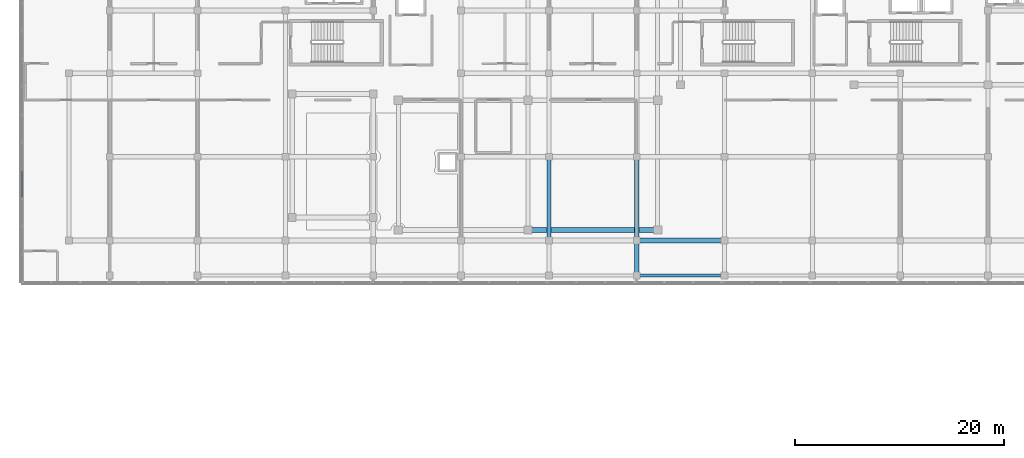
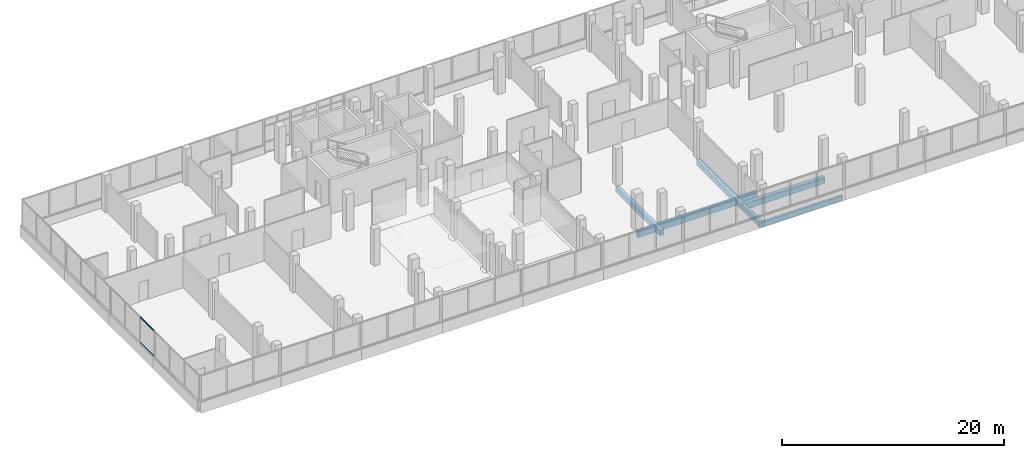
# One storey, part 11 of 76: 6 beams, 2 members, 1 element without a shape of its own.
"""IFC4 building model written with IfcOpenShell, lengths in metres."""

from ifc_helpers import new_model, si_unit, direction, frame, origin, origin_2d, place, context, subcontext, project, spatial, rectangle, hollow_rectangle, extrude, material, material_profile, profile_set, type_object, element, aggregate, save


model = new_model("IFC4")

# Units and contexts
model_context = context("Model", 3, precision=1e-05, world=origin(), true_north=direction((0.0, 1.0)))
body_context = subcontext(model_context, "Body", "Model", "MODEL_VIEW")
ifc_project = project(units=[si_unit("LENGTHUNIT", "METRE"), si_unit("AREAUNIT", "SQUARE_METRE"), si_unit("VOLUMEUNIT", "CUBIC_METRE"), si_unit("PLANEANGLEUNIT", "RADIAN"), si_unit("MASSUNIT", "GRAM", prefix="KILO")], contexts=[model_context])

# Site, building, storey
site_placement = place(None, origin())
site = spatial("IfcSite", under=ifc_project, at=site_placement, CompositionType="ELEMENT")
building_placement = place(site_placement, origin())
building = spatial("IfcBuilding", under=site, at=building_placement, Name="Selatvlak General Hospital", CompositionType="ELEMENT")
storey_placement = place(building_placement, frame((0.0, 0.0, 27.300048828125)))
storey = spatial("IfcBuildingStorey", under=building, at=storey_placement, Name="L06", CompositionType="ELEMENT", Elevation=27.300048828125)

# Beams
ifc_material_1 = material(Name="Concrete C40/50", Category="concrete")
ifc_material_profile_1 = material_profile(ifc_material_1, rectangle(XDim=0.449951171875, YDim=0.64990234375, at=origin_2d()), Name="RC-BM 450x650")
ifc_profile_set_1 = profile_set([ifc_material_profile_1], Name="Concrete C40/50")
beam_type_1 = type_object("IfcBeamType", Name="BM-G04", PredefinedType="BEAM", material=ifc_profile_set_1)
beam_1_placement = place(storey_placement, frame((81.60009765625, 92.0, -0.60009765625), z_axis=(1.0, 0.0, 0.0), x_axis=(0.0, 1.0, 0.0)))
element("IfcBeam", 1, at=beam_1_placement, inside=storey, type_object=beam_type_1, Name="Beam BMR-L06-2169", PredefinedType="BEAM", context=body_context, shape_type="SweptSolid", body=[
    extrude(rectangle(XDim=0.449951171875, YDim=0.64990234375, at=origin_2d()), origin(), (0.0, 0.0, 1.0), 8.39990234375),
])
beam_2_placement = place(storey_placement, frame((71.199951171875, 93.0, -0.60009765625), z_axis=(1.0, 0.0, 0.0), x_axis=(0.0, 1.0, 0.0)))
element("IfcBeam", 2, at=beam_2_placement, inside=storey, type_object=beam_type_1, Name="Beam BMR-L06-2183", PredefinedType="BEAM", context=body_context, shape_type="SweptSolid", body=[
    extrude(rectangle(XDim=0.449951171875, YDim=0.64990234375, at=origin_2d()), origin(), (0.0, 0.0, 1.0), 12.400146484375),
])
ifc_material_profile_2 = material_profile(ifc_material_1, rectangle(XDim=0.39990234375, YDim=0.60009765625, at=origin_2d()), Name="RC-BM 400x600")
ifc_profile_set_2 = profile_set([ifc_material_profile_2], Name="Concrete C40/50")
beam_type_2 = type_object("IfcBeamType", Name="BM-G05", PredefinedType="BEAM", material=ifc_profile_set_2)
beam_3_placement = place(storey_placement, frame((73.199951171875, 92.0, -0.574951171875), z_axis=(0.0, 1.0, 0.0), x_axis=(-1.0, 0.0, 0.0)))
element("IfcBeam", 3, at=beam_3_placement, inside=storey, type_object=beam_type_2, Name="Beam BMR-L06-2273", PredefinedType="BEAM", context=body_context, shape_type="SweptSolid", body=[
    extrude(rectangle(XDim=0.39990234375, YDim=0.60009765625, at=origin_2d()), origin(), (0.0, 0.0, 1.0), 8.0),
])
beam_4_placement = place(storey_placement, frame((81.60009765625, 88.64990234375, -0.574951171875), z_axis=(0.0, 1.0, 0.0), x_axis=(-1.0, 0.0, 0.0)))
element("IfcBeam", 4, at=beam_4_placement, inside=storey, type_object=beam_type_2, Name="Beam BMR-L06-2277", PredefinedType="BEAM", context=body_context, shape_type="SweptSolid", body=[
    extrude(rectangle(XDim=0.39990234375, YDim=0.60009765625, at=origin_2d()), origin(), (0.0, 0.0, 1.0), 3.35009765625),
])
beam_5_placement = place(storey_placement, frame((81.60009765625, 92.0, -0.574951171875), z_axis=(0.0, 1.0, 0.0), x_axis=(-1.0, 0.0, 0.0)))
element("IfcBeam", 5, at=beam_5_placement, inside=storey, type_object=beam_type_2, Name="Beam BMR-L06-2278", PredefinedType="BEAM", context=body_context, shape_type="SweptSolid", body=[
    extrude(rectangle(XDim=0.39990234375, YDim=0.60009765625, at=origin_2d()), origin(), (0.0, 0.0, 1.0), 8.0),
])
ifc_material_profile_3 = material_profile(ifc_material_1, rectangle(XDim=0.25, YDim=0.550048828125, at=origin_2d()), Name="RC-SP 250x550")
ifc_profile_set_3 = profile_set([ifc_material_profile_3], Name="Concrete C40/50")
beam_type_3 = type_object("IfcBeamType", Name="BM-SP2", PredefinedType="SPANDREL", material=ifc_profile_set_3)
beam_6_placement = place(storey_placement, frame((81.60009765625, 88.64990234375, -0.550048828125), z_axis=(1.0, 0.0, 0.0), x_axis=(0.0, 1.0, 0.0)))
element("IfcBeam", 6, at=beam_6_placement, inside=storey, type_object=beam_type_3, Name="Beam BMR-L06-2150", PredefinedType="SPANDREL", context=body_context, shape_type="SweptSolid", body=[
    extrude(rectangle(XDim=0.25, YDim=0.550048828125, at=origin_2d()), origin(), (0.0, 0.0, 1.0), 8.39990234375),
])

# Curtain wall, members
ifc_material_2 = material(Name="Solar-control Low-E double glazing", Category="glass")
curtain_wall_type = type_object("IfcCurtainWallType", Name="CW-CW-01", PredefinedType="USERDEFINED", material=ifc_material_2)
curtain_wall_placement = place(storey_placement, origin())
curtain_wall = element("IfcCurtainWall", 7, at=curtain_wall_placement, inside=storey, type_object=curtain_wall_type, Name="Glazed facade curtain wall CW-L06-0595", ObjectType="UNITISED CURTAIN WALL", PredefinedType="USERDEFINED")
ifc_material_3 = material(Name="Dark anodised aluminium mullion", Category="aluminium")
ifc_material_profile_4 = material_profile(ifc_material_3, hollow_rectangle(XDim=0.06494140625, YDim=0.1201171875, WallThickness=0.00390625, at=origin_2d()), Name="AL-TRN 65x120x4")
ifc_profile_set_4 = profile_set([ifc_material_profile_4], Name="Dark anodised aluminium mullion")
member_type = type_object("IfcMemberType", Name="CWT-01", PredefinedType="USERDEFINED", material=ifc_profile_set_4)
member_1_placement = place(storey_placement, frame((22.800048828125, 96.1298828125, 0.972412109375), z_axis=(0.0, 1.0, 0.0), x_axis=(-1.0, 0.0, 0.0)))
member_1 = element("IfcMember", 8, at=member_1_placement, type_object=member_type, Name="CW-01 transom 1.1", ObjectType="TRANSOM", PredefinedType="USERDEFINED", context=body_context, shape_type="SweptSolid", body=[
    extrude(hollow_rectangle(XDim=0.06494140625, YDim=0.1201171875, WallThickness=0.00390625, at=origin_2d()), origin(), (0.0, 0.0, 1.0), 2.542236328125),
])
member_2_placement = place(storey_placement, frame((22.800048828125, 96.1298828125, 3.74755859375), z_axis=(0.0, 1.0, 0.0), x_axis=(-1.0, 0.0, 0.0)))
member_2 = element("IfcMember", 9, at=member_2_placement, type_object=member_type, Name="CW-01 transom 1.2", ObjectType="TRANSOM", PredefinedType="USERDEFINED", context=body_context, shape_type="SweptSolid", body=[
    extrude(hollow_rectangle(XDim=0.06494140625, YDim=0.1201171875, WallThickness=0.00390625, at=origin_2d()), origin(), (0.0, 0.0, 1.0), 2.542236328125),
])
aggregate(curtain_wall, [member_1, member_2])

save(model, "model.ifc")
